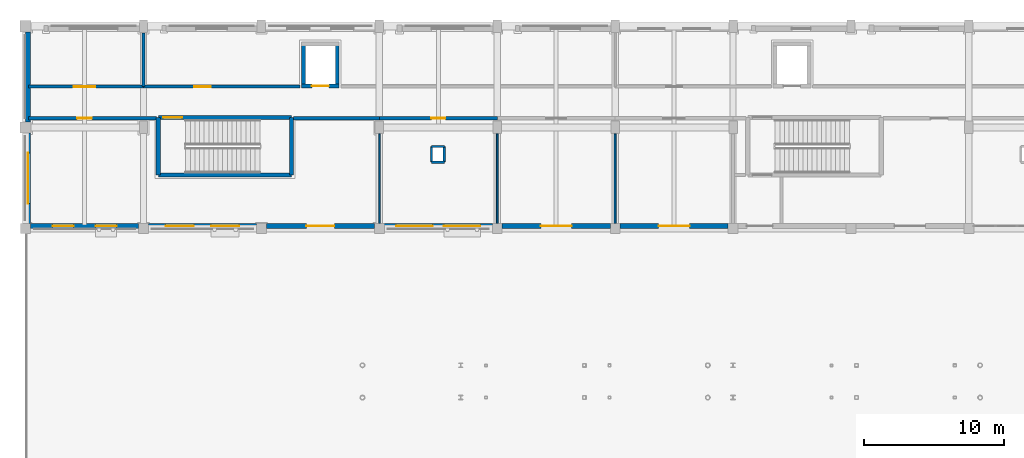
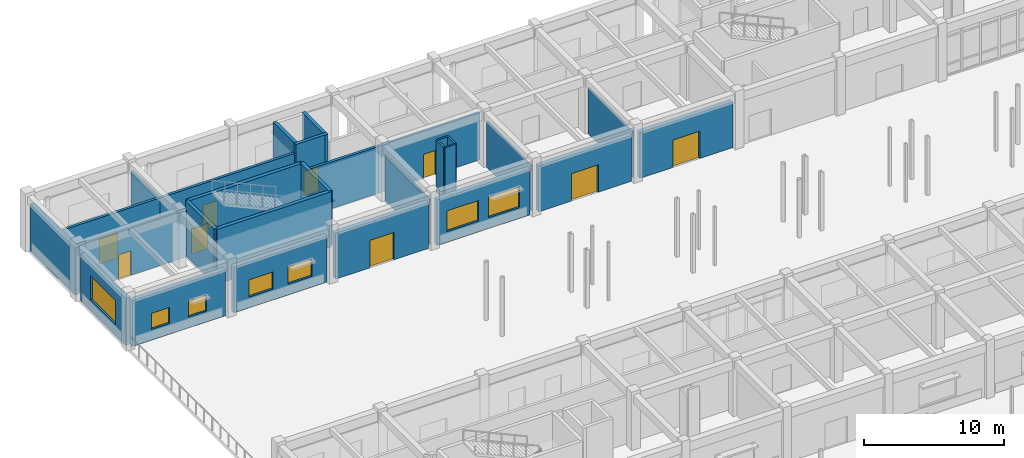
# One storey, part 81 of 121: 28 walls, 9 doors, 7 windows, 16 openings.
"""IFC4 building model written with IfcOpenShell, lengths in metres."""

from ifc_helpers import new_model, si_unit, direction, frame, frame_2d, origin, place, context, subcontext, project, spatial, rectangle, extrude, material, layer, layer_set, type_object, element, fill, save


model = new_model("IFC4")

# Units and contexts
model_context = context("Model", 3, precision=1e-05, world=origin(), true_north=direction((0.0, 1.0)))
body_context = subcontext(model_context, "Body", "Model", "MODEL_VIEW")
ifc_project = project(units=[si_unit("LENGTHUNIT", "METRE"), si_unit("AREAUNIT", "SQUARE_METRE"), si_unit("VOLUMEUNIT", "CUBIC_METRE"), si_unit("PLANEANGLEUNIT", "RADIAN"), si_unit("MASSUNIT", "GRAM", prefix="KILO")], contexts=[model_context])

# Site, building, storey
site_placement = place(None, origin())
site = spatial("IfcSite", under=ifc_project, at=site_placement, CompositionType="ELEMENT")
building_placement = place(site_placement, origin())
building = spatial("IfcBuilding", under=site, at=building_placement, Name="Malvenik Polytechnic", CompositionType="ELEMENT")
storey_placement = place(building_placement, origin())
storey = spatial("IfcBuildingStorey", under=building, at=storey_placement, Name="L00", CompositionType="ELEMENT", Elevation=0.0)

# Wall, opening, door
ifc_material_1 = material(Name="Concrete C35/45", Category="concrete")
ifc_layer_1 = layer(ifc_material_1, 0.280029296875)
ifc_layer_set_1 = layer_set([ifc_layer_1], Name="Concrete C35/45")
wall_type_1 = type_object("IfcWallType", Name="ARC-CW-S280", PredefinedType="SHEAR", material=ifc_layer_set_1)
wall_1_placement = place(storey_placement, frame((22.340087890625, 125.35009765625, 0.0), z_axis=(0.0, 0.0, 1.0), x_axis=(-1.0, 0.0, 0.0)))
wall_1 = element("IfcWall", 1, at=wall_1_placement, inside=storey, type_object=wall_type_1, Name="Lift Shaft Shear Wall LS-01 L00 -Y", PredefinedType="SHEAR", context=body_context, shape_type="SweptSolid", body=[
    extrude(rectangle(XDim=2.68017578125, YDim=0.280029296875, at=frame_2d((1.340087890625, 0.0))), origin(), (0.0, 0.0, 1.0), 4.820068359375),
])
opening_1_placement = place(wall_1_placement, frame((0.739990234375, 0.0, 0.0)))
opening_1 = element("IfcOpeningElement", 2, at=opening_1_placement, cuts=wall_1, Name="Opening LD-02", PredefinedType="OPENING", context=body_context, shape_type="SweptSolid", body=[
    extrude(rectangle(XDim=1.199951171875, YDim=2.14990234375, at=frame_2d((0.60009765625, 1.074951171875))), frame((0.0, 0.14990234375, 0.0), z_axis=(0.0, -1.0, 0.0), x_axis=(1.0, 0.0, 0.0)), (0.0, 0.0, 1.0), 0.300048828125),
])
ifc_material_2 = material(Name="Stainless steel fire-rated sliding lift landing door", Category="steel")
door_type_1 = type_object("IfcDoorType", Name="ARC-LDR-LD-02", OperationType="NOTDEFINED", PredefinedType="DOOR", material=ifc_material_2)
door_1_placement = place(opening_1_placement, origin())
door_1 = element("IfcDoor", 3, at=door_1_placement, inside=storey, type_object=door_type_1, Name="Lift Sliding Landing Door LS-01 L00", OperationType="DOUBLE_DOOR_SLIDING", OverallHeight=2.14990234375, OverallWidth=1.199951171875, PredefinedType="DOOR", context=body_context, shape_type="SweptSolid", body=[
    extrude(rectangle(XDim=1.199951171875, YDim=2.14990234375, at=frame_2d((0.60009765625, 1.074951171875))), frame((0.0, 0.02490234375, 0.0), z_axis=(0.0, -1.0, 0.0), x_axis=(1.0, 0.0, 0.0)), (0.0, 0.0, 1.0), 0.050048828125),
])
fill(opening_1, door_1)

# Walls
for number, where, z_axis, x_axis, name in (
    (4, (19.800048828125, 125.2099609375, 0.0), (0.0, 0.0, 1.0), (0.0, 1.0, 0.0), "Lift Shaft Shear Wall LS-01 L00 -X"),
    (5, (22.199951171875, 128.489990234375, 0.0), (0.0, 0.0, 1.0), (0.0, -1.0, 0.0), "Lift Shaft Shear Wall LS-01 L00 +X"),
):
    element("IfcWall", number, at=place(storey_placement, frame(where, z_axis=z_axis, x_axis=x_axis)), inside=storey, type_object=wall_type_1, Name=name, PredefinedType="SHEAR", context=body_context, shape_type="SweptSolid", body=[
        extrude(rectangle(XDim=3.280029296875, YDim=0.280029296875, at=frame_2d((1.64013671875, 0.0))), origin(), (0.0, 0.0, 1.0), 4.820068359375),
    ])
ifc_layer_2 = layer(ifc_material_1, 0.300048828125)
ifc_layer_set_2 = layer_set([ifc_layer_2], Name="Concrete C35/45")
wall_type_2 = type_object("IfcWallType", Name="ARC-CW-S300", PredefinedType="SHEAR", material=ifc_layer_set_2)
wall_2_placement = place(storey_placement, frame((9.449951171875, 119.0, 0.0), z_axis=(0.0, 0.0, 1.0), x_axis=(0.0, 1.0, 0.0)))
element("IfcWall", 6, at=wall_2_placement, inside=storey, type_object=wall_type_2, Name="Stair Core Shear Wall ST-01 L00 NEAR", PredefinedType="SHEAR", context=body_context, shape_type="SweptSolid", body=[
    extrude(rectangle(XDim=4.10009765625, YDim=0.300048828125, at=frame_2d((2.050048828125, 0.0))), origin(), (0.0, 0.0, 1.0), 4.820068359375),
])

# Wall, opening, door
wall_3_placement = place(storey_placement, frame((9.449951171875, 123.10009765625, 0.0), z_axis=(0.0, 0.0, 1.0), x_axis=(1.0, 0.0, 0.0)))
wall_3 = element("IfcWall", 7, at=wall_3_placement, inside=storey, type_object=wall_type_2, Name="Stair Core Shear Wall ST-01 L00 RGHT", PredefinedType="SHEAR", context=body_context, shape_type="SweptSolid", body=[
    extrude(rectangle(XDim=9.5, YDim=0.300048828125, at=frame_2d((4.75, 0.0))), origin(), (0.0, 0.0, 1.0), 4.820068359375),
])
opening_2_placement = place(wall_3_placement, frame((0.35009765625, 0.0, 0.0)))
opening_2 = element("IfcOpeningElement", 8, at=opening_2_placement, cuts=wall_3, Name="Opening SD-01", PredefinedType="OPENING", context=body_context, shape_type="SweptSolid", body=[
    extrude(rectangle(XDim=1.35009765625, YDim=2.199951171875, at=frame_2d((0.675048828125, 1.10009765625))), frame((0.0, 0.16015625, 0.0), z_axis=(0.0, -1.0, 0.0), x_axis=(1.0, 0.0, 0.0)), (0.0, 0.0, 1.0), 0.320068359375),
])
ifc_material_3 = material(Name="Fire-rated steel stair enclosure door", Category="steel")
door_type_2 = type_object("IfcDoorType", Name="ARC-IDR-SD-01", OperationType="NOTDEFINED", PredefinedType="DOOR", material=ifc_material_3)
door_2_placement = place(opening_2_placement, origin())
door_2 = element("IfcDoor", 9, at=door_2_placement, inside=storey, type_object=door_type_2, Name="Fire Stair Door ST-01 L00", OperationType="SINGLE_SWING_LEFT", OverallHeight=2.199951171875, OverallWidth=1.35009765625, PredefinedType="DOOR", context=body_context, shape_type="SweptSolid", body=[
    extrude(rectangle(XDim=1.35009765625, YDim=2.199951171875, at=frame_2d((0.675048828125, 1.10009765625))), frame((0.0, 0.02490234375, 0.0), z_axis=(0.0, -1.0, 0.0), x_axis=(1.0, 0.0, 0.0)), (0.0, 0.0, 1.0), 0.050048828125),
])
fill(opening_2, door_2)

# Walls
wall_4_placement = place(storey_placement, frame((18.949951171875, 123.10009765625, 0.0), z_axis=(0.0, 0.0, 1.0), x_axis=(0.0, -1.0, 0.0)))
element("IfcWall", 10, at=wall_4_placement, inside=storey, type_object=wall_type_2, Name="Stair Core Shear Wall ST-01 L00 FAR", PredefinedType="SHEAR", context=body_context, shape_type="SweptSolid", body=[
    extrude(rectangle(XDim=4.10009765625, YDim=0.300048828125, at=frame_2d((2.050048828125, 0.0))), origin(), (0.0, 0.0, 1.0), 4.820068359375),
])
wall_5_placement = place(storey_placement, frame((18.949951171875, 119.0, 0.0), z_axis=(0.0, 0.0, 1.0), x_axis=(-1.0, 0.0, 0.0)))
element("IfcWall", 11, at=wall_5_placement, inside=storey, type_object=wall_type_2, Name="Stair Core Shear Wall ST-01 L00 LEFT", PredefinedType="SHEAR", context=body_context, shape_type="SweptSolid", body=[
    extrude(rectangle(XDim=9.5, YDim=0.300048828125, at=frame_2d((4.75, 0.0))), origin(), (0.0, 0.0, 1.0), 4.820068359375),
])

# Wall, opening, door
ifc_material_4 = material(Name="Concrete C30/37", Category="concrete")
ifc_layer_3 = layer(ifc_material_4, 0.3798828125)
ifc_layer_set_3 = layer_set([ifc_layer_3], Name="Concrete C30/37")
wall_type_3 = type_object("IfcWallType", Name="ARC-EW-380", PredefinedType="SOLIDWALL", material=ifc_layer_set_3)
wall_6_placement = place(storey_placement, frame((50.052001953125, 115.3701171875, 0.0), z_axis=(0.0, 0.0, 1.0), x_axis=(-1.0, 0.0, 0.0)))
wall_6 = element("IfcWall", 12, at=wall_6_placement, inside=storey, type_object=wall_type_3, Name="External Facade Wall EW-01 L00 #75", PredefinedType="SOLIDWALL", context=body_context, shape_type="SweptSolid", body=[
    extrude(rectangle(XDim=7.7041015625, YDim=0.3798828125, at=frame_2d((3.85205078125, 0.0))), origin(), (0.0, 0.0, 1.0), 4.010009765625),
])
opening_3_placement = place(wall_6_placement, frame((2.751953125, 0.0, 0.0)))
opening_3 = element("IfcOpeningElement", 13, at=opening_3_placement, cuts=wall_6, Name="Opening ED-02", PredefinedType="OPENING", context=body_context, shape_type="SweptSolid", body=[
    extrude(rectangle(XDim=2.199951171875, YDim=2.39990234375, at=frame_2d((1.10009765625, 1.199951171875))), frame((0.0, 0.199951171875, 0.0), z_axis=(0.0, -1.0, 0.0), x_axis=(1.0, 0.0, 0.0)), (0.0, 0.0, 1.0), 0.39990234375),
])
ifc_material_5 = material(Name="Thermally broken glazed aluminium entrance door", Category="aluminium")
door_type_3 = type_object("IfcDoorType", Name="ARC-EDR-ED-02", OperationType="NOTDEFINED", PredefinedType="DOOR", material=ifc_material_5)
door_3_placement = place(opening_3_placement, origin())
door_3 = element("IfcDoor", 14, at=door_3_placement, inside=storey, type_object=door_type_3, Name="External Door ED-02 L00 #21", OperationType="DOUBLE_DOOR_SINGLE_SWING", OverallHeight=2.39990234375, OverallWidth=2.199951171875, PredefinedType="DOOR", context=body_context, shape_type="SweptSolid", body=[
    extrude(rectangle(XDim=2.199951171875, YDim=2.39990234375, at=frame_2d((1.10009765625, 1.199951171875))), frame((0.0, 0.02490234375, 0.0), z_axis=(0.0, -1.0, 0.0), x_axis=(1.0, 0.0, 0.0)), (0.0, 0.0, 1.0), 0.050048828125),
])
fill(opening_3, door_3)

wall_7_placement = place(storey_placement, frame((41.652099609375, 115.3701171875, 0.0), z_axis=(0.0, 0.0, 1.0), x_axis=(-1.0, 0.0, 0.0)))
wall_7 = element("IfcWall", 15, at=wall_7_placement, inside=storey, type_object=wall_type_3, Name="External Facade Wall EW-01 L00 #76", PredefinedType="SOLIDWALL", context=body_context, shape_type="SweptSolid", body=[
    extrude(rectangle(XDim=7.7041015625, YDim=0.3798828125, at=frame_2d((3.85205078125, 0.0))), origin(), (0.0, 0.0, 1.0), 4.010009765625),
])
opening_4_placement = place(wall_7_placement, frame((2.751953125, 0.0, 0.0)))
opening_4 = element("IfcOpeningElement", 16, at=opening_4_placement, cuts=wall_7, Name="Opening ED-02", PredefinedType="OPENING", context=body_context, shape_type="SweptSolid", body=[
    extrude(rectangle(XDim=2.199951171875, YDim=2.39990234375, at=frame_2d((1.10009765625, 1.199951171875))), frame((0.0, 0.199951171875, 0.0), z_axis=(0.0, -1.0, 0.0), x_axis=(1.0, 0.0, 0.0)), (0.0, 0.0, 1.0), 0.39990234375),
])
door_4_placement = place(opening_4_placement, origin())
door_4 = element("IfcDoor", 17, at=door_4_placement, inside=storey, type_object=door_type_3, Name="External Door ED-02 L00 #22", OperationType="DOUBLE_DOOR_SINGLE_SWING", OverallHeight=2.39990234375, OverallWidth=2.199951171875, PredefinedType="DOOR", context=body_context, shape_type="SweptSolid", body=[
    extrude(rectangle(XDim=2.199951171875, YDim=2.39990234375, at=frame_2d((1.10009765625, 1.199951171875))), frame((0.0, 0.02490234375, 0.0), z_axis=(0.0, -1.0, 0.0), x_axis=(1.0, 0.0, 0.0)), (0.0, 0.0, 1.0), 0.050048828125),
])
fill(opening_4, door_4)

# Wall, openings, windows
wall_8_placement = place(storey_placement, frame((33.251953125, 115.3701171875, 0.0), z_axis=(0.0, 0.0, 1.0), x_axis=(-1.0, 0.0, 0.0)))
wall_8 = element("IfcWall", 18, at=wall_8_placement, inside=storey, type_object=wall_type_3, Name="External Facade Wall EW-01 L00 #77", PredefinedType="SOLIDWALL", context=body_context, shape_type="SweptSolid", body=[
    extrude(rectangle(XDim=7.703857421875, YDim=0.3798828125, at=frame_2d((3.85205078125, 0.0))), origin(), (0.0, 0.0, 1.0), 4.010009765625),
])
opening_5_placement = place(wall_8_placement, frame((0.85009765625, 0.0, 0.949951171875)))
opening_5 = element("IfcOpeningElement", 19, at=opening_5_placement, cuts=wall_8, Name="Opening W-11", PredefinedType="OPENING", context=body_context, shape_type="SweptSolid", body=[
    extrude(rectangle(XDim=2.60009765625, YDim=1.800048828125, at=frame_2d((1.300048828125, 0.89990234375))), frame((0.0, 0.199951171875, 0.0), z_axis=(0.0, -1.0, 0.0), x_axis=(1.0, 0.0, 0.0)), (0.0, 0.0, 1.0), 0.39990234375),
])
opening_6_placement = place(wall_8_placement, frame((4.25390625, 0.0, 0.949951171875)))
opening_6 = element("IfcOpeningElement", 20, at=opening_6_placement, cuts=wall_8, Name="Opening W-11", PredefinedType="OPENING", context=body_context, shape_type="SweptSolid", body=[
    extrude(rectangle(XDim=2.60009765625, YDim=1.800048828125, at=frame_2d((1.300048828125, 0.89990234375))), frame((0.0, 0.199951171875, 0.0), z_axis=(0.0, -1.0, 0.0), x_axis=(1.0, 0.0, 0.0)), (0.0, 0.0, 1.0), 0.39990234375),
])
ifc_material_6 = material(Name="Thermally broken aluminium frame with low-E double glazing", Category="aluminium")
window_type_1 = type_object("IfcWindowType", Name="ARC-WIN-W-11", PartitioningType="SINGLE_PANEL", PredefinedType="WINDOW", material=ifc_material_6)
window_1_placement = place(opening_5_placement, origin())
window_1 = element("IfcWindow", 21, at=window_1_placement, inside=storey, type_object=window_type_1, Name="Punched Window W-11 L00 #37", OverallHeight=1.800048828125, OverallWidth=2.60009765625, PartitioningType="SINGLE_PANEL", PredefinedType="WINDOW", context=body_context, shape_type="SweptSolid", body=[
    extrude(rectangle(XDim=2.60009765625, YDim=1.800048828125, at=frame_2d((1.300048828125, 0.89990234375))), frame((0.0, 0.030029296875, 0.0), z_axis=(0.0, -1.0, 0.0), x_axis=(1.0, 0.0, 0.0)), (0.0, 0.0, 1.0), 0.06005859375),
])
fill(opening_5, window_1)
window_2_placement = place(opening_6_placement, origin())
window_2 = element("IfcWindow", 22, at=window_2_placement, inside=storey, type_object=window_type_1, Name="Punched Window W-11 L00 #38", OverallHeight=1.800048828125, OverallWidth=2.60009765625, PartitioningType="SINGLE_PANEL", PredefinedType="WINDOW", context=body_context, shape_type="SweptSolid", body=[
    extrude(rectangle(XDim=2.60009765625, YDim=1.800048828125, at=frame_2d((1.300048828125, 0.89990234375))), frame((0.0, 0.030029296875, 0.0), z_axis=(0.0, -1.0, 0.0), x_axis=(1.0, 0.0, 0.0)), (0.0, 0.0, 1.0), 0.06005859375),
])
fill(opening_6, window_2)

# Wall, opening, door
wall_9_placement = place(storey_placement, frame((24.85205078125, 115.3701171875, 0.0), z_axis=(0.0, 0.0, 1.0), x_axis=(-1.0, 0.0, 0.0)))
wall_9 = element("IfcWall", 23, at=wall_9_placement, inside=storey, type_object=wall_type_3, Name="External Facade Wall EW-01 L00 #78", PredefinedType="SOLIDWALL", context=body_context, shape_type="SweptSolid", body=[
    extrude(rectangle(XDim=7.7041015625, YDim=0.3798828125, at=frame_2d((3.85205078125, 0.0))), origin(), (0.0, 0.0, 1.0), 4.010009765625),
])
opening_7_placement = place(wall_9_placement, frame((2.85205078125, 0.0, 0.0)))
opening_7 = element("IfcOpeningElement", 24, at=opening_7_placement, cuts=wall_9, Name="Opening ED-01", PredefinedType="OPENING", context=body_context, shape_type="SweptSolid", body=[
    extrude(rectangle(XDim=2.0, YDim=2.39990234375, at=frame_2d((1.0, 1.199951171875))), frame((0.0, 0.199951171875, 0.0), z_axis=(0.0, -1.0, 0.0), x_axis=(1.0, 0.0, 0.0)), (0.0, 0.0, 1.0), 0.39990234375),
])
door_type_4 = type_object("IfcDoorType", Name="ARC-EDR-ED-01", OperationType="NOTDEFINED", PredefinedType="DOOR", material=ifc_material_5)
door_5_placement = place(opening_7_placement, origin())
door_5 = element("IfcDoor", 25, at=door_5_placement, inside=storey, type_object=door_type_4, Name="External Door ED-01 L00 #23", OperationType="DOUBLE_DOOR_SINGLE_SWING", OverallHeight=2.39990234375, OverallWidth=2.0, PredefinedType="DOOR", context=body_context, shape_type="SweptSolid", body=[
    extrude(rectangle(XDim=2.0, YDim=2.39990234375, at=frame_2d((1.0, 1.199951171875))), frame((0.0, 0.02490234375, 0.0), z_axis=(0.0, -1.0, 0.0), x_axis=(1.0, 0.0, 0.0)), (0.0, 0.0, 1.0), 0.050048828125),
])
fill(opening_7, door_5)

# Wall, openings, windows
wall_10_placement = place(storey_placement, frame((16.451904296875, 115.3701171875, 0.0), z_axis=(0.0, 0.0, 1.0), x_axis=(-1.0, 0.0, 0.0)))
wall_10 = element("IfcWall", 26, at=wall_10_placement, inside=storey, type_object=wall_type_3, Name="External Facade Wall EW-01 L00 #79", PredefinedType="SOLIDWALL", context=body_context, shape_type="SweptSolid", body=[
    extrude(rectangle(XDim=7.703857421875, YDim=0.3798828125, at=frame_2d((3.85205078125, 0.0))), origin(), (0.0, 0.0, 1.0), 4.010009765625),
])
opening_8_placement = place(wall_10_placement, frame((1.234619140625, 0.0, 0.949951171875)))
opening_8 = element("IfcOpeningElement", 27, at=opening_8_placement, cuts=wall_10, Name="Opening W-13", PredefinedType="OPENING", context=body_context, shape_type="SweptSolid", body=[
    extrude(rectangle(XDim=2.0, YDim=1.5, at=frame_2d((1.0, 0.75))), frame((0.0, 0.199951171875, 0.0), z_axis=(0.0, -1.0, 0.0), x_axis=(1.0, 0.0, 0.0)), (0.0, 0.0, 1.0), 0.39990234375),
])
opening_9_placement = place(wall_10_placement, frame((4.469482421875, 0.0, 0.949951171875)))
opening_9 = element("IfcOpeningElement", 28, at=opening_9_placement, cuts=wall_10, Name="Opening W-13", PredefinedType="OPENING", context=body_context, shape_type="SweptSolid", body=[
    extrude(rectangle(XDim=2.0, YDim=1.5, at=frame_2d((1.0, 0.75))), frame((0.0, 0.199951171875, 0.0), z_axis=(0.0, -1.0, 0.0), x_axis=(1.0, 0.0, 0.0)), (0.0, 0.0, 1.0), 0.39990234375),
])
window_type_2 = type_object("IfcWindowType", Name="ARC-WIN-W-13", PartitioningType="SINGLE_PANEL", PredefinedType="WINDOW", material=ifc_material_6)
window_3_placement = place(opening_8_placement, origin())
window_3 = element("IfcWindow", 29, at=window_3_placement, inside=storey, type_object=window_type_2, Name="Punched Window W-13 L00 #39", OverallHeight=1.5, OverallWidth=2.0, PartitioningType="SINGLE_PANEL", PredefinedType="WINDOW", context=body_context, shape_type="SweptSolid", body=[
    extrude(rectangle(XDim=2.0, YDim=1.5, at=frame_2d((1.0, 0.75))), frame((0.0, 0.030029296875, 0.0), z_axis=(0.0, -1.0, 0.0), x_axis=(1.0, 0.0, 0.0)), (0.0, 0.0, 1.0), 0.06005859375),
])
fill(opening_8, window_3)
window_4_placement = place(opening_9_placement, origin())
window_4 = element("IfcWindow", 30, at=window_4_placement, inside=storey, type_object=window_type_2, Name="Punched Window W-13 L00 #40", OverallHeight=1.5, OverallWidth=2.0, PartitioningType="SINGLE_PANEL", PredefinedType="WINDOW", context=body_context, shape_type="SweptSolid", body=[
    extrude(rectangle(XDim=2.0, YDim=1.5, at=frame_2d((1.0, 0.75))), frame((0.0, 0.030029296875, 0.0), z_axis=(0.0, -1.0, 0.0), x_axis=(1.0, 0.0, 0.0)), (0.0, 0.0, 1.0), 0.06005859375),
])
fill(opening_9, window_4)

wall_11_placement = place(storey_placement, frame((8.052001953125, 115.3701171875, 0.0), z_axis=(0.0, 0.0, 1.0), x_axis=(-1.0, 0.0, 0.0)))
wall_11 = element("IfcWall", 31, at=wall_11_placement, inside=storey, type_object=wall_type_3, Name="External Facade Wall EW-01 L00 #80", PredefinedType="SOLIDWALL", context=body_context, shape_type="SweptSolid", body=[
    extrude(rectangle(XDim=7.7041015625, YDim=0.3798828125, at=frame_2d((3.85205078125, 0.0))), origin(), (0.0, 0.0, 1.0), 4.010009765625),
])
opening_10_placement = place(wall_11_placement, frame((1.568115234375, 0.0, 0.949951171875)))
opening_10 = element("IfcOpeningElement", 32, at=opening_10_placement, cuts=wall_11, Name="Opening W-15", PredefinedType="OPENING", context=body_context, shape_type="SweptSolid", body=[
    extrude(rectangle(XDim=1.5, YDim=1.39990234375, at=frame_2d((0.75, 0.699951171875))), frame((0.0, 0.199951171875, 0.0), z_axis=(0.0, -1.0, 0.0), x_axis=(1.0, 0.0, 0.0)), (0.0, 0.0, 1.0), 0.39990234375),
])
opening_11_placement = place(wall_11_placement, frame((4.635986328125, 0.0, 0.949951171875)))
opening_11 = element("IfcOpeningElement", 33, at=opening_11_placement, cuts=wall_11, Name="Opening W-15", PredefinedType="OPENING", context=body_context, shape_type="SweptSolid", body=[
    extrude(rectangle(XDim=1.5, YDim=1.39990234375, at=frame_2d((0.75, 0.699951171875))), frame((0.0, 0.199951171875, 0.0), z_axis=(0.0, -1.0, 0.0), x_axis=(1.0, 0.0, 0.0)), (0.0, 0.0, 1.0), 0.39990234375),
])
window_type_3 = type_object("IfcWindowType", Name="ARC-WIN-W-15", PartitioningType="SINGLE_PANEL", PredefinedType="WINDOW", material=ifc_material_6)
window_5_placement = place(opening_10_placement, origin())
window_5 = element("IfcWindow", 34, at=window_5_placement, inside=storey, type_object=window_type_3, Name="Punched Window W-15 L00 #41", OverallHeight=1.39990234375, OverallWidth=1.5, PartitioningType="SINGLE_PANEL", PredefinedType="WINDOW", context=body_context, shape_type="SweptSolid", body=[
    extrude(rectangle(XDim=1.5, YDim=1.39990234375, at=frame_2d((0.75, 0.699951171875))), frame((0.0, 0.030029296875, 0.0), z_axis=(0.0, -1.0, 0.0), x_axis=(1.0, 0.0, 0.0)), (0.0, 0.0, 1.0), 0.06005859375),
])
fill(opening_10, window_5)
window_6_placement = place(opening_11_placement, origin())
window_6 = element("IfcWindow", 35, at=window_6_placement, inside=storey, type_object=window_type_3, Name="Punched Window W-15 L00 #42", OverallHeight=1.39990234375, OverallWidth=1.5, PartitioningType="SINGLE_PANEL", PredefinedType="WINDOW", context=body_context, shape_type="SweptSolid", body=[
    extrude(rectangle(XDim=1.5, YDim=1.39990234375, at=frame_2d((0.75, 0.699951171875))), frame((0.0, 0.030029296875, 0.0), z_axis=(0.0, -1.0, 0.0), x_axis=(1.0, 0.0, 0.0)), (0.0, 0.0, 1.0), 0.06005859375),
])
fill(opening_11, window_6)

# Wall, opening, window
wall_12_placement = place(storey_placement, frame((0.169921875, 115.548095703125, 0.0), z_axis=(0.0, 0.0, 1.0), x_axis=(0.0, 1.0, 0.0)))
wall_12 = element("IfcWall", 36, at=wall_12_placement, inside=storey, type_object=wall_type_3, Name="External Facade Wall EW-01 L00 #81", PredefinedType="SOLIDWALL", context=body_context, shape_type="SweptSolid", body=[
    extrude(rectangle(XDim=6.453857421875, YDim=0.3798828125, at=frame_2d((3.22705078125, 0.0))), origin(), (0.0, 0.0, 1.0), 4.110107421875),
])
opening_12_placement = place(wall_12_placement, frame((1.427001953125, 0.0, 0.949951171875)))
opening_12 = element("IfcOpeningElement", 37, at=opening_12_placement, cuts=wall_12, Name="Opening W-17", PredefinedType="OPENING", context=body_context, shape_type="SweptSolid", body=[
    extrude(rectangle(XDim=3.60009765625, YDim=2.10009765625, at=frame_2d((1.800048828125, 1.050048828125))), frame((0.0, 0.199951171875, 0.0), z_axis=(0.0, -1.0, 0.0), x_axis=(1.0, 0.0, 0.0)), (0.0, 0.0, 1.0), 0.39990234375),
])
window_type_4 = type_object("IfcWindowType", Name="ARC-WIN-W-17", PartitioningType="SINGLE_PANEL", PredefinedType="WINDOW", material=ifc_material_6)
window_7_placement = place(opening_12_placement, origin())
window_7 = element("IfcWindow", 38, at=window_7_placement, inside=storey, type_object=window_type_4, Name="Punched Window W-17 L00 #43", OverallHeight=2.10009765625, OverallWidth=3.60009765625, PartitioningType="SINGLE_PANEL", PredefinedType="WINDOW", context=body_context, shape_type="SweptSolid", body=[
    extrude(rectangle(XDim=3.60009765625, YDim=2.10009765625, at=frame_2d((1.800048828125, 1.050048828125))), frame((0.0, 0.030029296875, 0.0), z_axis=(0.0, -1.0, 0.0), x_axis=(1.0, 0.0, 0.0)), (0.0, 0.0, 1.0), 0.06005859375),
])
fill(opening_12, window_7)

# Wall
wall_13_placement = place(storey_placement, frame((0.169921875, 122.798095703125, 0.0), z_axis=(0.0, 0.0, 1.0), x_axis=(0.0, 1.0, 0.0)))
element("IfcWall", 39, at=wall_13_placement, inside=storey, type_object=wall_type_3, Name="External Facade Wall EW-01 L00 #82", PredefinedType="SOLIDWALL", context=body_context, shape_type="SweptSolid", body=[
    extrude(rectangle(XDim=6.40380859375, YDim=0.3798828125, at=frame_2d((3.201904296875, 0.0))), origin(), (0.0, 0.0, 1.0), 4.110107421875),
])

# Wall, opening, door
ifc_material_7 = material(Name="Autoclaved aerated concrete blockwork 220mm", Category="masonry")
ifc_layer_4 = layer(ifc_material_7, 0.219970703125)
ifc_layer_set_4 = layer_set([ifc_layer_4], Name="Autoclaved aerated concrete blockwork 220mm")
wall_type_4 = type_object("IfcWallType", Name="ARC-FW-220", PredefinedType="SOLIDWALL", material=ifc_layer_set_4)
wall_14_placement = place(storey_placement, frame((0.219970703125, 125.300048828125, 0.0), z_axis=(0.0, 0.0, 1.0), x_axis=(1.0, 0.0, 0.0)))
wall_14 = element("IfcWall", 40, at=wall_14_placement, inside=storey, type_object=wall_type_4, Name="Interior Partition FW-01 L00 #45", PredefinedType="SOLIDWALL", context=body_context, shape_type="SweptSolid", body=[
    extrude(rectangle(XDim=8.179931640625, YDim=0.219970703125, at=frame_2d((4.08984375, 0.0))), origin(), (0.0, 0.0, 1.0), 4.10498046875),
])
opening_13_placement = place(wall_14_placement, frame((3.205078125, 0.0, 0.0)))
opening_13 = element("IfcOpeningElement", 41, at=opening_13_placement, cuts=wall_14, Name="Opening FD-09", PredefinedType="OPENING", context=body_context, shape_type="SweptSolid", body=[
    extrude(rectangle(XDim=1.550048828125, YDim=2.199951171875, at=frame_2d((0.77490234375, 1.10009765625))), frame((0.0, 0.1201171875, 0.0), z_axis=(0.0, -1.0, 0.0), x_axis=(1.0, 0.0, 0.0)), (0.0, 0.0, 1.0), 0.239990234375),
])
ifc_material_8 = material(Name="Fire-rated studio corridor double door", Category="steel")
door_type_5 = type_object("IfcDoorType", Name="ARC-IDR-FD-09", OperationType="NOTDEFINED", PredefinedType="DOOR", material=ifc_material_8)
door_6_placement = place(opening_13_placement, origin())
door_6 = element("IfcDoor", 42, at=door_6_placement, inside=storey, type_object=door_type_5, Name="Interior Door FD-09 L00 #22", OperationType="DOUBLE_DOOR_SINGLE_SWING", OverallHeight=2.199951171875, OverallWidth=1.550048828125, PredefinedType="DOOR", context=body_context, shape_type="SweptSolid", body=[
    extrude(rectangle(XDim=1.550048828125, YDim=2.199951171875, at=frame_2d((0.77490234375, 1.10009765625))), frame((0.0, 0.02490234375, 0.0), z_axis=(0.0, -1.0, 0.0), x_axis=(1.0, 0.0, 0.0)), (0.0, 0.0, 1.0), 0.050048828125),
])
fill(opening_13, door_6)

# Wall
wall_15_placement = place(storey_placement, frame((8.39990234375, 125.300048828125, 0.0), z_axis=(0.0, 0.0, 1.0), x_axis=(0.0, 1.0, 0.0)))
element("IfcWall", 43, at=wall_15_placement, inside=storey, type_object=wall_type_4, Name="Interior Partition FW-01 L00 #46", PredefinedType="SOLIDWALL", context=body_context, shape_type="SweptSolid", body=[
    extrude(rectangle(XDim=3.829833984375, YDim=0.219970703125, at=frame_2d((1.9150390625, 0.0))), origin(), (0.0, 0.0, 1.0), 4.10498046875),
])

# Wall, opening, door
wall_16_placement = place(storey_placement, frame((8.39990234375, 125.300048828125, 0.0), z_axis=(0.0, 0.0, 1.0), x_axis=(1.0, 0.0, 0.0)))
wall_16 = element("IfcWall", 44, at=wall_16_placement, inside=storey, type_object=wall_type_4, Name="Interior Partition FW-01 L00 #47", PredefinedType="SOLIDWALL", context=body_context, shape_type="SweptSolid", body=[
    extrude(rectangle(XDim=11.130126953125, YDim=0.219970703125, at=frame_2d((5.56494140625, 0.0))), origin(), (0.0, 0.0, 1.0), 4.10498046875),
])
opening_14_placement = place(wall_16_placement, frame((3.60009765625, 0.0, 0.0)))
opening_14 = element("IfcOpeningElement", 45, at=opening_14_placement, cuts=wall_16, Name="Opening FD-10", PredefinedType="OPENING", context=body_context, shape_type="SweptSolid", body=[
    extrude(rectangle(XDim=1.199951171875, YDim=2.14990234375, at=frame_2d((0.60009765625, 1.074951171875))), frame((0.0, 0.1201171875, 0.0), z_axis=(0.0, -1.0, 0.0), x_axis=(1.0, 0.0, 0.0)), (0.0, 0.0, 1.0), 0.239990234375),
])
ifc_material_9 = material(Name="Fire-rated laboratory corridor door", Category="steel")
door_type_6 = type_object("IfcDoorType", Name="ARC-IDR-FD-10", OperationType="NOTDEFINED", PredefinedType="DOOR", material=ifc_material_9)
door_7_placement = place(opening_14_placement, origin())
door_7 = element("IfcDoor", 46, at=door_7_placement, inside=storey, type_object=door_type_6, Name="Interior Door FD-10 L00 #23", OperationType="SINGLE_SWING_RIGHT", OverallHeight=2.14990234375, OverallWidth=1.199951171875, PredefinedType="DOOR", context=body_context, shape_type="SweptSolid", body=[
    extrude(rectangle(XDim=1.199951171875, YDim=2.14990234375, at=frame_2d((0.60009765625, 1.074951171875))), frame((0.0, 0.02490234375, 0.0), z_axis=(0.0, -1.0, 0.0), x_axis=(1.0, 0.0, 0.0)), (0.0, 0.0, 1.0), 0.050048828125),
])
fill(opening_14, door_7)

# Wall
wall_17_placement = place(storey_placement, frame((25.199951171875, 123.050048828125, 0.0), z_axis=(0.0, 0.0, 1.0), x_axis=(-1.0, 0.0, 0.0)))
element("IfcWall", 47, at=wall_17_placement, inside=storey, type_object=wall_type_4, Name="Interior Partition FW-01 L00 #57", PredefinedType="SOLIDWALL", context=body_context, shape_type="SweptSolid", body=[
    extrude(rectangle(XDim=6.10986328125, YDim=0.219970703125, at=frame_2d((3.054931640625, 0.0))), origin(), (0.0, 0.0, 1.0), 4.10498046875),
])

# Wall, opening, door
wall_18_placement = place(storey_placement, frame((9.31005859375, 123.050048828125, 0.0), z_axis=(0.0, 0.0, 1.0), x_axis=(-1.0, 0.0, 0.0)))
wall_18 = element("IfcWall", 48, at=wall_18_placement, inside=storey, type_object=wall_type_4, Name="Interior Partition FW-01 L00 #58", PredefinedType="SOLIDWALL", context=body_context, shape_type="SweptSolid", body=[
    extrude(rectangle(XDim=9.090087890625, YDim=0.219970703125, at=frame_2d((4.544921875, 0.0))), origin(), (0.0, 0.0, 1.0), 4.10498046875),
])
opening_15_placement = place(wall_18_placement, frame((4.5849609375, 0.0, 0.0)))
opening_15 = element("IfcOpeningElement", 49, at=opening_15_placement, cuts=wall_18, Name="Opening FD-05", PredefinedType="OPENING", context=body_context, shape_type="SweptSolid", body=[
    extrude(rectangle(XDim=1.050048828125, YDim=2.14990234375, at=frame_2d((0.52490234375, 1.074951171875))), frame((0.0, 0.1201171875, 0.0), z_axis=(0.0, -1.0, 0.0), x_axis=(1.0, 0.0, 0.0)), (0.0, 0.0, 1.0), 0.239990234375),
])
ifc_material_10 = material(Name="Fire-rated archive room door", Category="steel")
door_type_7 = type_object("IfcDoorType", Name="ARC-IDR-FD-05", OperationType="NOTDEFINED", PredefinedType="DOOR", material=ifc_material_10)
door_8_placement = place(opening_15_placement, origin())
door_8 = element("IfcDoor", 50, at=door_8_placement, inside=storey, type_object=door_type_7, Name="Interior Door FD-05 L00 #27", OperationType="SINGLE_SWING_LEFT", OverallHeight=2.14990234375, OverallWidth=1.050048828125, PredefinedType="DOOR", context=body_context, shape_type="SweptSolid", body=[
    extrude(rectangle(XDim=1.050048828125, YDim=2.14990234375, at=frame_2d((0.52490234375, 1.074951171875))), frame((0.0, 0.02490234375, 0.0), z_axis=(0.0, -1.0, 0.0), x_axis=(1.0, 0.0, 0.0)), (0.0, 0.0, 1.0), 0.050048828125),
])
fill(opening_15, door_8)

wall_19_placement = place(storey_placement, frame((33.60009765625, 123.050048828125, 0.0), z_axis=(0.0, 0.0, 1.0), x_axis=(-1.0, 0.0, 0.0)))
wall_19 = element("IfcWall", 51, at=wall_19_placement, inside=storey, type_object=wall_type_4, Name="Interior Partition FW-01 L00 #60", PredefinedType="SOLIDWALL", context=body_context, shape_type="SweptSolid", body=[
    extrude(rectangle(XDim=8.400146484375, YDim=0.219970703125, at=frame_2d((4.2001953125, 0.0))), origin(), (0.0, 0.0, 1.0), 4.10498046875),
])
opening_16_placement = place(wall_19_placement, frame((3.699951171875, 0.0, 0.0)))
opening_16 = element("IfcOpeningElement", 52, at=opening_16_placement, cuts=wall_19, Name="Opening FD-07", PredefinedType="OPENING", context=body_context, shape_type="SweptSolid", body=[
    extrude(rectangle(XDim=1.0, YDim=2.10009765625, at=frame_2d((0.5, 1.050048828125))), frame((0.0, 0.1201171875, 0.0), z_axis=(0.0, -1.0, 0.0), x_axis=(1.0, 0.0, 0.0)), (0.0, 0.0, 1.0), 0.239990234375),
])
ifc_material_11 = material(Name="Fire-rated washroom corridor door", Category="steel")
door_type_8 = type_object("IfcDoorType", Name="ARC-IDR-FD-07", OperationType="NOTDEFINED", PredefinedType="DOOR", material=ifc_material_11)
door_9_placement = place(opening_16_placement, origin())
door_9 = element("IfcDoor", 53, at=door_9_placement, inside=storey, type_object=door_type_8, Name="Interior Door FD-07 L00 #28", OperationType="SINGLE_SWING_RIGHT", OverallHeight=2.10009765625, OverallWidth=1.0, PredefinedType="DOOR", context=body_context, shape_type="SweptSolid", body=[
    extrude(rectangle(XDim=1.0, YDim=2.10009765625, at=frame_2d((0.5, 1.050048828125))), frame((0.0, 0.02490234375, 0.0), z_axis=(0.0, -1.0, 0.0), x_axis=(1.0, 0.0, 0.0)), (0.0, 0.0, 1.0), 0.050048828125),
])
fill(opening_16, door_9)

# Walls
ifc_material_12 = material(Name="Lightweight gypsum partition 110mm", Category="gypsum")
ifc_layer_5 = layer(ifc_material_12, 0.110107421875)
ifc_layer_set_5 = layer_set([ifc_layer_5], Name="Lightweight gypsum partition 110mm")
wall_type_5 = type_object("IfcWallType", Name="ARC-PW-110", PredefinedType="PARTITIONING", material=ifc_layer_set_5)
wall_20_placement = place(storey_placement, frame((25.199951171875, 115.570068359375, 0.0), z_axis=(0.0, 0.0, 1.0), x_axis=(0.0, 1.0, 0.0)))
element("IfcWall", 54, at=wall_20_placement, inside=storey, type_object=wall_type_5, Name="Interior Partition PW-04I L00 #59", PredefinedType="PARTITIONING", context=body_context, shape_type="SweptSolid", body=[
    extrude(rectangle(XDim=6.35986328125, YDim=0.110107421875, at=frame_2d((3.179931640625, 0.0))), origin(), (0.0, 0.0, 1.0), 4.0048828125),
])
ifc_material_13 = material(Name="Metal-stud gypsum board partition 125mm", Category="gypsum")
ifc_layer_6 = layer(ifc_material_13, 0.125)
ifc_layer_set_6 = layer_set([ifc_layer_6], Name="Metal-stud gypsum board partition 125mm")
wall_type_6 = type_object("IfcWallType", Name="ARC-PW-125", PredefinedType="PARTITIONING", material=ifc_layer_set_6)
wall_21_placement = place(storey_placement, frame((33.60009765625, 115.570068359375, 0.0), z_axis=(0.0, 0.0, 1.0), x_axis=(0.0, 1.0, 0.0)))
element("IfcWall", 55, at=wall_21_placement, inside=storey, type_object=wall_type_6, Name="Interior Partition PW-03I L00 #61", PredefinedType="PARTITIONING", context=body_context, shape_type="SweptSolid", body=[
    extrude(rectangle(XDim=6.35986328125, YDim=0.125, at=frame_2d((3.179931640625, 0.0))), origin(), (0.0, 0.0, 1.0), 4.0048828125),
])
ifc_material_14 = material(Name="Acoustic metal-stud gypsum partition 140mm", Category="gypsum")
ifc_layer_7 = layer(ifc_material_14, 0.139892578125)
ifc_layer_set_7 = layer_set([ifc_layer_7], Name="Acoustic metal-stud gypsum partition 140mm")
wall_type_7 = type_object("IfcWallType", Name="ARC-PW-140", PredefinedType="PARTITIONING", material=ifc_layer_set_7)
wall_22_placement = place(storey_placement, frame((42.0, 115.570068359375, 0.0), z_axis=(0.0, 0.0, 1.0), x_axis=(0.0, 1.0, 0.0)))
element("IfcWall", 56, at=wall_22_placement, inside=storey, type_object=wall_type_7, Name="Interior Partition PW-02I L00 #63", PredefinedType="PARTITIONING", context=body_context, shape_type="SweptSolid", body=[
    extrude(rectangle(XDim=6.35986328125, YDim=0.139892578125, at=frame_2d((3.179931640625, 0.0))), origin(), (0.0, 0.0, 1.0), 4.0048828125),
])
ifc_material_15 = material(Name="Double-stud acoustic gypsum board partition 160mm", Category="gypsum")
ifc_layer_8 = layer(ifc_material_15, 0.159912109375)
ifc_layer_set_8 = layer_set([ifc_layer_8], Name="Double-stud acoustic gypsum board partition 160mm")
wall_type_8 = type_object("IfcWallType", Name="ARC-PW-160", PredefinedType="PARTITIONING", material=ifc_layer_set_8)
for number, where, z_axis, x_axis, name in (
    (57, (28.919921875, 119.919921875, 0.0), (0.0, 0.0, 1.0), (1.0, 0.0, 0.0), "Riser Shaft Enclosure L00 #1S"),
    (58, (29.830078125, 121.030029296875, 0.0), (0.0, 0.0, 1.0), (-1.0, 0.0, 0.0), "Riser Shaft Enclosure L00 #1N"),
):
    element("IfcWall", number, at=place(storey_placement, frame(where, z_axis=z_axis, x_axis=x_axis)), inside=storey, type_object=wall_type_8, Name=name, PredefinedType="PARTITIONING", context=body_context, shape_type="SweptSolid", body=[
        extrude(rectangle(XDim=0.91015625, YDim=0.159912109375, at=frame_2d((0.455078125, 0.0))), origin(), (0.0, 0.0, 1.0), 4.550048828125),
    ])
for number, where, z_axis, x_axis, name in (
    (59, (28.919921875, 121.030029296875, 0.0), (0.0, 0.0, 1.0), (0.0, -1.0, 0.0), "Riser Shaft Enclosure L00 #1W"),
    (60, (29.830078125, 119.919921875, 0.0), (0.0, 0.0, 1.0), (0.0, 1.0, 0.0), "Riser Shaft Enclosure L00 #1E"),
):
    element("IfcWall", number, at=place(storey_placement, frame(where, z_axis=z_axis, x_axis=x_axis)), inside=storey, type_object=wall_type_8, Name=name, PredefinedType="PARTITIONING", context=body_context, shape_type="SweptSolid", body=[
        extrude(rectangle(XDim=1.110107421875, YDim=0.159912109375, at=frame_2d((0.55517578125, 0.0))), origin(), (0.0, 0.0, 1.0), 4.550048828125),
    ])

save(model, "model.ifc")
